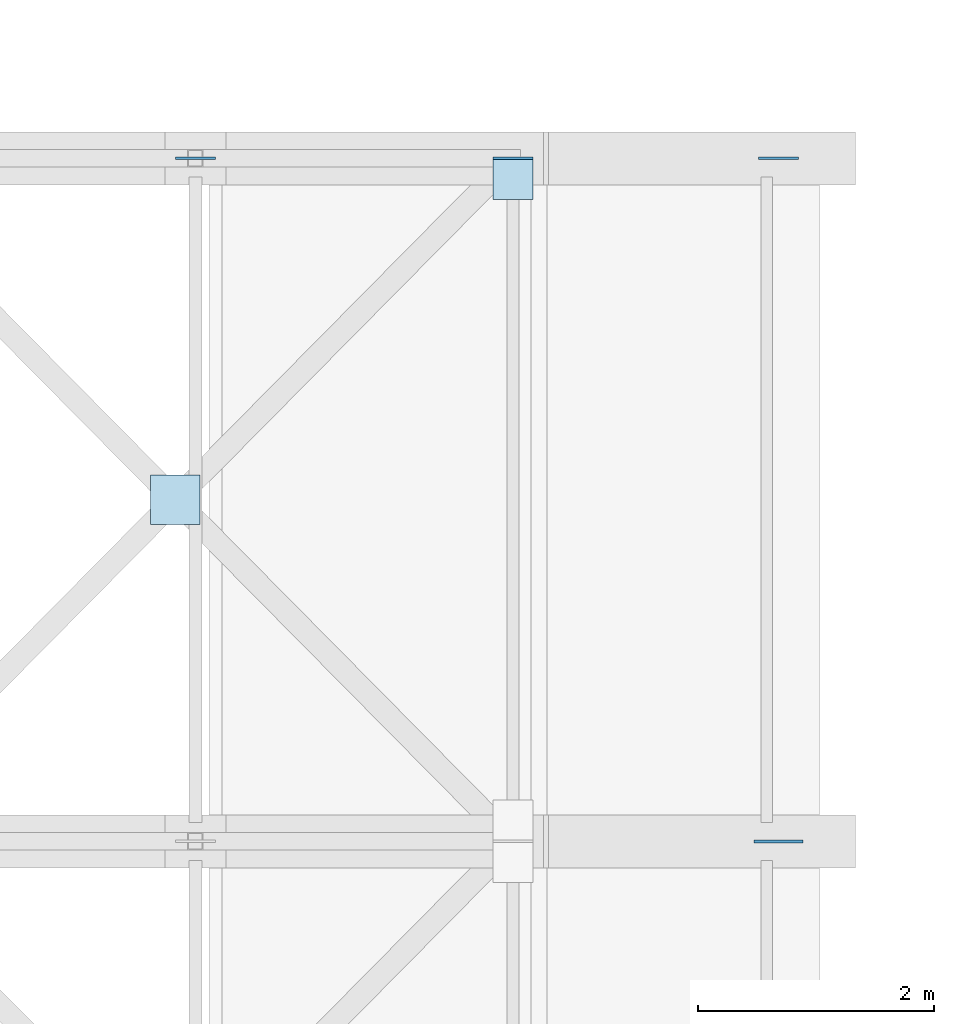
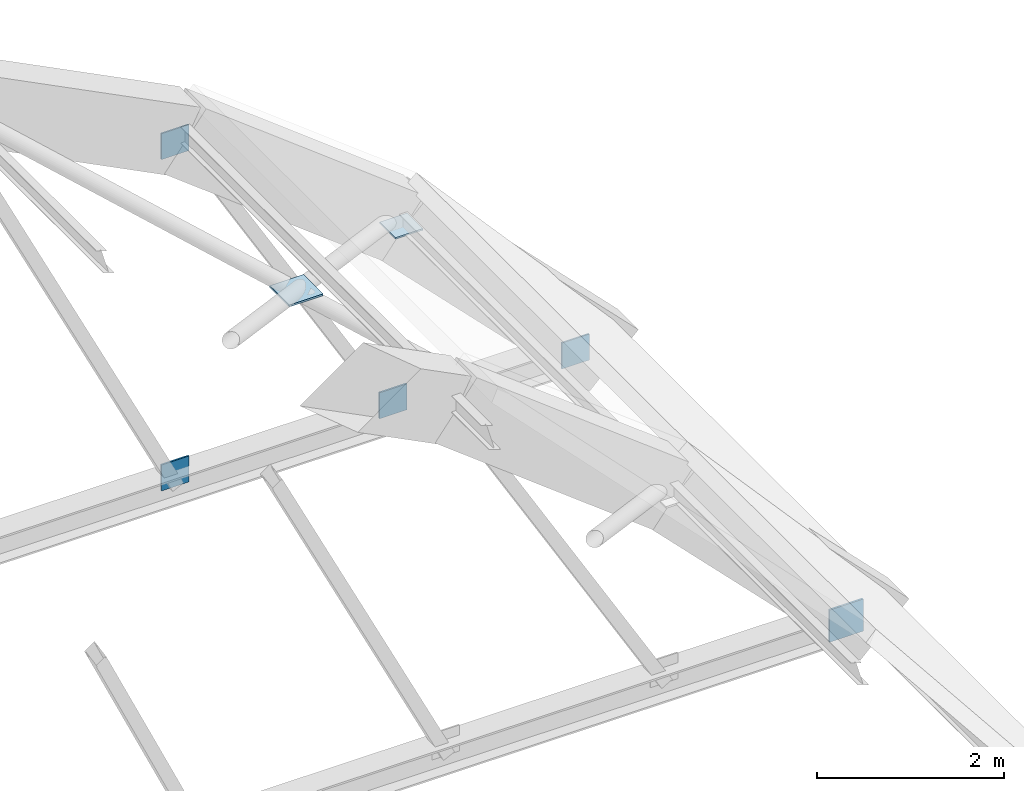
# One storey, part 39 of 81: 7 plates.
"""IFC4 building model written with IfcOpenShell, lengths in metres."""

from ifc_helpers import new_model, si_unit, direction, frame, origin, origin_2d, place, context, subcontext, project, spatial, rectangle, extrude, material, layer, layer_set, type_object, element, save


model = new_model("IFC4")

# Units and contexts
model_context = context("Model", 3, precision=1e-05, world=origin(), true_north=direction((0.0, 1.0)))
body_context = subcontext(model_context, "Body", "Model", "MODEL_VIEW")
ifc_project = project(units=[si_unit("LENGTHUNIT", "METRE"), si_unit("AREAUNIT", "SQUARE_METRE"), si_unit("VOLUMEUNIT", "CUBIC_METRE"), si_unit("PLANEANGLEUNIT", "RADIAN"), si_unit("MASSUNIT", "GRAM", prefix="KILO")], contexts=[model_context])

# Site, building, storey
site_placement = place(None, origin())
site = spatial("IfcSite", under=ifc_project, at=site_placement, CompositionType="ELEMENT")
building_placement = place(site_placement, origin())
building = spatial("IfcBuilding", under=site, at=building_placement, Name="Tanwirah Colonnade Gardens", CompositionType="ELEMENT")
storey_placement = place(building_placement, frame((0.0, 0.0, 8.840087890625)))
storey = spatial("IfcBuildingStorey", under=building, at=storey_placement, Name="L02", CompositionType="ELEMENT", Elevation=8.840087890625)

# Plates
ifc_material = material(Name="Steel S355", Category="steel")
ifc_layer_1 = layer(ifc_material, 0.02001953125)
ifc_layer_set_1 = layer_set([ifc_layer_1], Name="Steel S355")
plate_type_1 = type_object("IfcPlateType", Name="PLT-GUS20", PredefinedType="USERDEFINED", material=ifc_layer_set_1)
for number, where, z_axis, x_axis, name in (
    (1, (102.6982421875, 80.39990234375, -0.27001953125), (0.0, 0.0, 1.0), (1.0, 0.0, 0.0), "Vault Web Lower Node Gusset Plate 8.8"),
    (2, (105.395263671875, 80.39990234375, -0.27001953125), (0.0, 0.0, 1.0), (1.0, 0.0, 0.0), "Vault Web Lower Node Gusset Plate 8.9"),
    (3, (102.6982421875, 80.39990234375, 4.0615234375), (0.0, 0.0, 1.0), (1.0, 0.0, 0.0), "Vault Web Upper Node Gusset Plate 8.9"),
    (4, (107.64990234375, 80.39990234375, -0.41015625), (0.0, 0.0, 1.0), (1.0, 0.0, 0.0), "Vault Arch Gusset Plate 8-E"),
):
    element("IfcPlate", number, at=place(storey_placement, frame(where, z_axis=z_axis, x_axis=x_axis)), inside=storey, type_object=plate_type_1, Name=name, ObjectType="GUSSET_PLATE", PredefinedType="USERDEFINED", context=body_context, shape_type="SweptSolid", body=[
        extrude(rectangle(XDim=0.340087890625, YDim=0.02001953125, at=origin_2d()), origin(), (0.0, 0.0, 1.0), 0.340087890625),
    ])
plate_1_placement = place(storey_placement, frame((105.395263671875, 80.219970703125, 2.283447265625), z_axis=(0.0, 0.0, 1.0), x_axis=(1.0, 0.0, 0.0)))
element("IfcPlate", 5, at=plate_1_placement, inside=storey, type_object=plate_type_1, Name="Vault Brace End Gusset Plate 7.3B", ObjectType="GUSSET_PLATE", PredefinedType="USERDEFINED", context=body_context, shape_type="SweptSolid", body=[
    extrude(rectangle(XDim=0.340087890625, YDim=0.340087890625, at=origin_2d()), origin(), (0.0, 0.0, 1.0), 0.02001953125),
])
ifc_layer_2 = layer(ifc_material, 0.02490234375)
ifc_layer_set_2 = layer_set([ifc_layer_2], Name="Steel S355")
plate_type_2 = type_object("IfcPlateType", Name="PLT-GUS25", PredefinedType="USERDEFINED", material=ifc_layer_set_2)
plate_2_placement = place(storey_placement, frame((107.64990234375, 74.60009765625, -0.449951171875), z_axis=(0.0, 0.0, 1.0), x_axis=(1.0, 0.0, 0.0)))
element("IfcPlate", 6, at=plate_2_placement, inside=storey, type_object=plate_type_2, Name="Vault Arch Gusset Plate 7-E", ObjectType="GUSSET_PLATE", PredefinedType="USERDEFINED", context=body_context, shape_type="SweptSolid", body=[
    extrude(rectangle(XDim=0.419921875, YDim=0.02490234375, at=origin_2d()), origin(), (0.0, 0.0, 1.0), 0.419921875),
])
plate_3_placement = place(storey_placement, frame((102.528076171875, 77.5, 4.089599609375), z_axis=(0.0, 0.0, 1.0), x_axis=(1.0, 0.0, 0.0)))
element("IfcPlate", 7, at=plate_3_placement, inside=storey, type_object=plate_type_2, Name="Vault X-Brace Crossing Gusset Plate 7-E", ObjectType="GUSSET_PLATE", PredefinedType="USERDEFINED", context=body_context, shape_type="SweptSolid", body=[
    extrude(rectangle(XDim=0.419921875, YDim=0.419921875, at=origin_2d()), origin(), (0.0, 0.0, 1.0), 0.02490234375),
])

save(model, "model.ifc")
